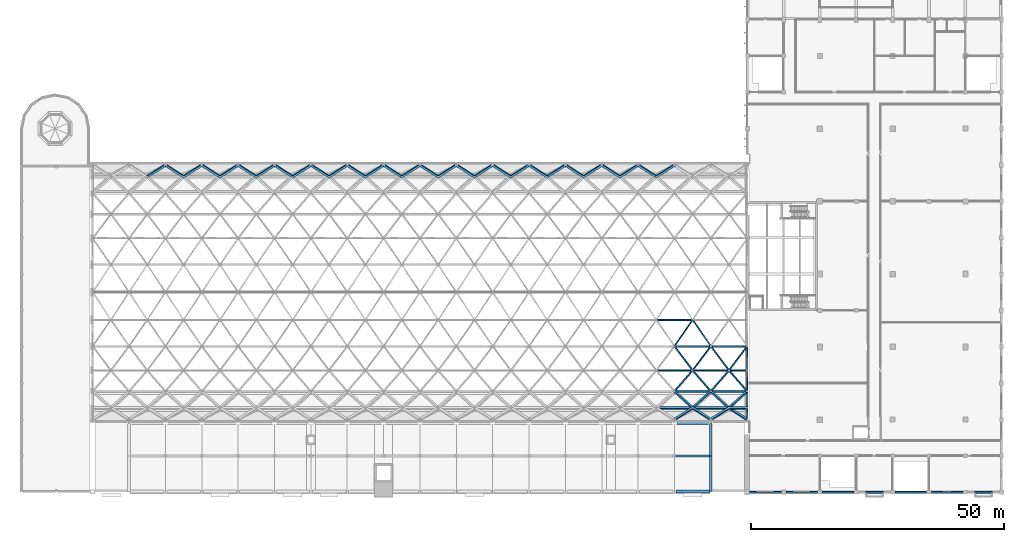
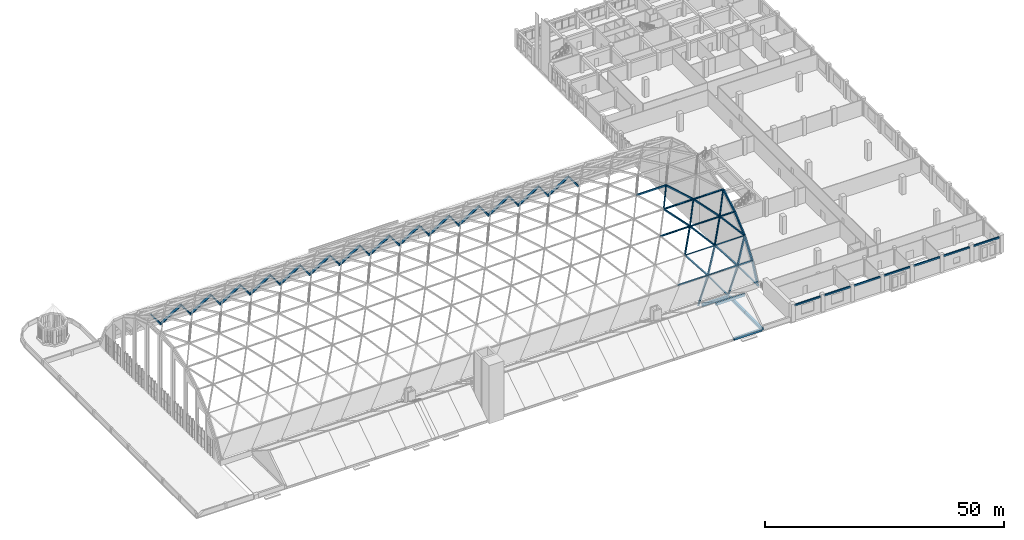
# One storey, part 13 of 52: 47 members, 27 beams.
"""IFC4 building model written with IfcOpenShell, lengths in metres."""

from ifc_helpers import new_model, si_unit, direction, frame, origin, origin_2d, place, context, subcontext, project, spatial, rectangle, extrude, material, material_profile, profile_set, type_object, element, save


model = new_model("IFC4")

# Units and contexts
model_context = context("Model", 3, precision=1e-05, world=origin(), true_north=direction((0.0, 1.0)))
body_context = subcontext(model_context, "Body", "Model", "MODEL_VIEW")
ifc_project = project(units=[si_unit("LENGTHUNIT", "METRE"), si_unit("AREAUNIT", "SQUARE_METRE"), si_unit("VOLUMEUNIT", "CUBIC_METRE"), si_unit("PLANEANGLEUNIT", "RADIAN"), si_unit("MASSUNIT", "GRAM", prefix="KILO")], contexts=[model_context])

# Site, building, storey
site_placement = place(None, origin())
site = spatial("IfcSite", under=ifc_project, at=site_placement, CompositionType="ELEMENT")
building_placement = place(site_placement, origin())
building = spatial("IfcBuilding", under=site, at=building_placement, Name="Vermilion Court Aquatics Centre", CompositionType="ELEMENT")
storey_placement = place(building_placement, frame((0.0, 0.0, 12.0)))
storey = spatial("IfcBuildingStorey", under=building, at=storey_placement, Name="L02", CompositionType="ELEMENT", Elevation=12.0)

# Beams
ifc_material_1 = material(Name="Concrete 5000 psi", Category="concrete")
ifc_material_profile_1 = material_profile(ifc_material_1, rectangle(XDim=0.300048828125, YDim=0.39990234375, at=origin_2d()), Name="RC 300x400")
ifc_profile_set_1 = profile_set([ifc_material_profile_1], Name="Concrete 5000 psi")
beam_type_1 = type_object("IfcBeamType", Name="Podium spandrel beam RC 300x400", PredefinedType="BEAM", material=ifc_profile_set_1)
for number, where, z_axis, x_axis, name in (
    (1, (144.449951171875, 0.0, 3.800048828125), (1.0, 0.0, 0.0), (0.0, 1.0, 0.0), "Spandrel beam L02"),
    (2, (151.64990234375, 0.0, 3.800048828125), (1.0, 0.0, 0.0), (0.0, 1.0, 0.0), "Spandrel beam L02"),
):
    element("IfcBeam", number, at=place(storey_placement, frame(where, z_axis=z_axis, x_axis=x_axis)), inside=storey, type_object=beam_type_1, Name=name, PredefinedType="BEAM", context=body_context, shape_type="SweptSolid", body=[
        extrude(rectangle(XDim=0.300048828125, YDim=0.39990234375, at=origin_2d()), origin(), (0.0, 0.0, 1.0), 6.300048828125),
    ])
beam_1_placement = place(storey_placement, frame((158.85009765625, 0.0, 3.800048828125), z_axis=(1.0, 0.0, 0.0), x_axis=(0.0, 1.0, 0.0)))
element("IfcBeam", 3, at=beam_1_placement, inside=storey, type_object=beam_type_1, Name="Spandrel beam L02", PredefinedType="BEAM", context=body_context, shape_type="SweptSolid", body=[
    extrude(rectangle(XDim=0.300048828125, YDim=0.39990234375, at=origin_2d()), origin(), (0.0, 0.0, 1.0), 6.2998046875),
])
for number, where, z_axis, x_axis, name in (
    (4, (166.050048828125, 0.0, 3.800048828125), (1.0, 0.0, 0.0), (0.0, 1.0, 0.0), "Spandrel beam L02"),
    (5, (173.25, 0.0, 3.800048828125), (1.0, 0.0, 0.0), (0.0, 1.0, 0.0), "Spandrel beam L02"),
    (6, (180.449951171875, 0.0, 3.800048828125), (1.0, 0.0, 0.0), (0.0, 1.0, 0.0), "Spandrel beam L02"),
    (7, (187.64990234375, 0.0, 3.800048828125), (1.0, 0.0, 0.0), (0.0, 1.0, 0.0), "Spandrel beam L02"),
):
    element("IfcBeam", number, at=place(storey_placement, frame(where, z_axis=z_axis, x_axis=x_axis)), inside=storey, type_object=beam_type_1, Name=name, PredefinedType="BEAM", context=body_context, shape_type="SweptSolid", body=[
        extrude(rectangle(XDim=0.300048828125, YDim=0.39990234375, at=origin_2d()), origin(), (0.0, 0.0, 1.0), 6.300048828125),
    ])
ifc_material_2 = material(Name="Glulam 24F-V4 Douglas fir", Category="wood")
ifc_material_profile_2 = material_profile(ifc_material_2, rectangle(XDim=0.27294921875, YDim=0.60009765625, at=origin_2d()), Name="GL24F 273x600")
ifc_profile_set_2 = profile_set([ifc_material_profile_2], Name="Glulam 24F-V4 Douglas fir")
beam_type_2 = type_object("IfcBeamType", Name="Roof gable arch rib GL24F 273x600", PredefinedType="BEAM", material=ifc_profile_set_2)
beam_2_placement = place(storey_placement, frame((144.0, 20.048095703125, 9.627685546875), z_axis=(0.0, 0.749506138313, 0.66199739322), x_axis=(-1.0, 0.0, 0.0)))
element("IfcBeam", 8, at=beam_2_placement, inside=storey, type_object=beam_type_2, Name="Gable arch rib GR-R02-E", PredefinedType="BEAM", context=body_context, shape_type="SweptSolid", body=[
    extrude(rectangle(XDim=0.27294921875, YDim=0.60009765625, at=origin_2d()), origin(), (0.0, 0.0, 1.0), 5.45703125),
])
beam_3_placement = place(storey_placement, frame((144.0, 24.162109375, 13.25732421875), z_axis=(0.0, 0.869440836463, 0.494037075422), x_axis=(-1.0, 0.0, 0.0)))
element("IfcBeam", 9, at=beam_3_placement, inside=storey, type_object=beam_type_2, Name="Gable arch rib GR-R03-E", PredefinedType="BEAM", context=body_context, shape_type="SweptSolid", body=[
    extrude(rectangle(XDim=0.27294921875, YDim=0.60009765625, at=origin_2d()), origin(), (0.0, 0.0, 1.0), 5.457763671875),
])
ifc_material_3 = material(Name="Glulam 24F-V4 Douglas fir", Category="wood")
ifc_material_profile_3 = material_profile(ifc_material_3, rectangle(XDim=0.27294921875, YDim=0.699951171875, at=origin_2d()), Name="GL24F 273x700")
ifc_profile_set_3 = profile_set([ifc_material_profile_3], Name="Glulam 24F-V4 Douglas fir")
beam_type_3 = type_object("IfcBeamType", Name="Roof gable arch rib GL24F 273x700", PredefinedType="BEAM", material=ifc_profile_set_3)
beam_4_placement = place(storey_placement, frame((144.0, 14.461669921875, 0.14501953125), z_axis=(0.0, 0.420151136212, 0.907454143602), x_axis=(-1.0, 0.0, 0.0)))
element("IfcBeam", 10, at=beam_4_placement, inside=storey, type_object=beam_type_3, Name="Gable arch rib GR-R00-E", PredefinedType="BEAM", context=body_context, shape_type="SweptSolid", body=[
    extrude(rectangle(XDim=0.27294921875, YDim=0.699951171875, at=origin_2d()), origin(), (0.0, 0.0, 1.0), 5.537109375),
])
beam_5_placement = place(storey_placement, frame((144.0, 16.80810546875, 5.203369140625), z_axis=(0.0, 0.597715934236, 0.801707965509), x_axis=(-1.0, 0.0, 0.0)))
element("IfcBeam", 11, at=beam_5_placement, inside=storey, type_object=beam_type_3, Name="Gable arch rib GR-R01-E", PredefinedType="BEAM", context=body_context, shape_type="SweptSolid", body=[
    extrude(rectangle(XDim=0.27294921875, YDim=0.699951171875, at=origin_2d()), origin(), (0.0, 0.0, 1.0), 5.4443359375),
])
ifc_material_4 = material(Name="Glulam 24F-V4 Douglas fir", Category="wood")
ifc_material_profile_4 = material_profile(ifc_material_4, rectangle(XDim=0.1708984375, YDim=0.5, at=origin_2d()), Name="GL24F 171x500")
ifc_profile_set_4 = profile_set([ifc_material_profile_4], Name="Glulam 24F-V4 Douglas fir")
beam_type_4 = type_object("IfcBeamType", Name="Roof glulam beam GL24F 171x500", PredefinedType="BEAM", material=ifc_profile_set_4)
beam_6_placement = place(storey_placement, frame((129.60009765625, 28.89990234375, 16.007080078125), z_axis=(1.0, 0.0, 0.0), x_axis=(0.0, 0.915794264632, 0.401647687492)))
element("IfcBeam", 12, at=beam_6_placement, inside=storey, type_object=beam_type_4, Name="Gridshell member GM-S04-16", PredefinedType="BEAM", context=body_context, shape_type="SweptSolid", body=[
    extrude(rectangle(XDim=0.1708984375, YDim=0.5, at=origin_2d()), origin(), (0.0, 0.0, 1.0), 7.199951171875),
])
beam_7_placement = place(storey_placement, frame((136.800048828125, 28.89990234375, 16.007080078125), z_axis=(1.0, 0.0, 0.0), x_axis=(0.0, 0.915794264632, 0.401647687492)))
element("IfcBeam", 13, at=beam_7_placement, inside=storey, type_object=beam_type_4, Name="Gridshell member GM-S04-17", PredefinedType="BEAM", context=body_context, shape_type="SweptSolid", body=[
    extrude(rectangle(XDim=0.1708984375, YDim=0.5, at=origin_2d()), origin(), (0.0, 0.0, 1.0), 7.0634765625),
])
beam_8_placement = place(storey_placement, frame((126.0, 34.1298828125, 17.681884765625), z_axis=(1.0, 0.0, 0.0), x_axis=(0.0, 0.978692135467, 0.205333153619)))
element("IfcBeam", 14, at=beam_8_placement, inside=storey, type_object=beam_type_4, Name="Gridshell member GM-S05-16", PredefinedType="BEAM", context=body_context, shape_type="SweptSolid", body=[
    extrude(rectangle(XDim=0.1708984375, YDim=0.5, at=origin_2d()), origin(), (0.0, 0.0, 1.0), 7.199951171875),
])
ifc_material_5 = material(Name="Glulam 24F-V4 Douglas fir", Category="wood")
ifc_material_profile_5 = material_profile(ifc_material_5, rectangle(XDim=0.221923828125, YDim=0.5, at=origin_2d()), Name="GL24F 222x500")
ifc_profile_set_5 = profile_set([ifc_material_profile_5], Name="Glulam 24F-V4 Douglas fir")
beam_type_5 = type_object("IfcBeamType", Name="Roof glulam beam GL24F 222x500", PredefinedType="BEAM", material=ifc_profile_set_5)
beam_9_placement = place(storey_placement, frame((129.60009765625, 20.0, 9.652099609375), z_axis=(1.0, 0.0, 0.0), x_axis=(0.0, 0.677259808472, 0.735743944473)))
element("IfcBeam", 15, at=beam_9_placement, inside=storey, type_object=beam_type_5, Name="Gridshell member GM-S02-16", PredefinedType="BEAM", context=body_context, shape_type="SweptSolid", body=[
    extrude(rectangle(XDim=0.221923828125, YDim=0.5, at=origin_2d()), origin(), (0.0, 0.0, 1.0), 7.199951171875),
])
beam_10_placement = place(storey_placement, frame((136.800048828125, 20.0, 9.652099609375), z_axis=(1.0, 0.0, 0.0), x_axis=(0.0, 0.677259808472, 0.735743944473)))
element("IfcBeam", 16, at=beam_10_placement, inside=storey, type_object=beam_type_5, Name="Gridshell member GM-S02-17", PredefinedType="BEAM", context=body_context, shape_type="SweptSolid", body=[
    extrude(rectangle(XDim=0.221923828125, YDim=0.5, at=origin_2d()), origin(), (0.0, 0.0, 1.0), 7.0634765625),
])
for number, where, z_axis, x_axis, name in (
    (17, (126.0, 24.1201171875, 13.291015625), (1.0, 0.0, 0.0), (0.0, 0.813847589394, 0.581078395087), "Gridshell member GM-S03-16"),
    (18, (133.199951171875, 24.1201171875, 13.291015625), (1.0, 0.0, 0.0), (0.0, 0.813847589394, 0.581078395087), "Gridshell member GM-S03-17"),
):
    element("IfcBeam", number, at=place(storey_placement, frame(where, z_axis=z_axis, x_axis=x_axis)), inside=storey, type_object=beam_type_5, Name=name, PredefinedType="BEAM", context=body_context, shape_type="SweptSolid", body=[
        extrude(rectangle(XDim=0.221923828125, YDim=0.5, at=origin_2d()), origin(), (0.0, 0.0, 1.0), 7.199951171875),
    ])
beam_11_placement = place(storey_placement, frame((140.39990234375, 24.1201171875, 13.291015625), z_axis=(1.0, 0.0, 0.0), x_axis=(0.0, 0.813847589394, 0.581078395087)))
element("IfcBeam", 19, at=beam_11_placement, inside=storey, type_object=beam_type_5, Name="Gridshell member GM-S03-18", PredefinedType="BEAM", context=body_context, shape_type="SweptSolid", body=[
    extrude(rectangle(XDim=0.221923828125, YDim=0.5, at=origin_2d()), origin(), (0.0, 0.0, 1.0), 3.463623046875),
])
ifc_material_6 = material(Name="Glulam 24F-V4 Douglas fir", Category="wood")
ifc_material_profile_6 = material_profile(ifc_material_6, rectangle(XDim=0.27294921875, YDim=0.5, at=origin_2d()), Name="GL24F 273x500")
ifc_profile_set_6 = profile_set([ifc_material_profile_6], Name="Glulam 24F-V4 Douglas fir")
beam_type_6 = type_object("IfcBeamType", Name="Roof glulam beam GL24F 273x500", PredefinedType="BEAM", material=ifc_profile_set_6)
for number, where, z_axis, x_axis, name in (
    (20, (126.0, 16.7099609375, 5.239013671875), (1.0, 0.0, 0.0), (0.0, 0.511594723072, 0.859226884661), "Gridshell member GM-S01-16"),
    (21, (133.199951171875, 16.7099609375, 5.239013671875), (1.0, 0.0, 0.0), (0.0, 0.511594723072, 0.859226884661), "Gridshell member GM-S01-17"),
):
    element("IfcBeam", number, at=place(storey_placement, frame(where, z_axis=z_axis, x_axis=x_axis)), inside=storey, type_object=beam_type_6, Name=name, PredefinedType="BEAM", context=body_context, shape_type="SweptSolid", body=[
        extrude(rectangle(XDim=0.27294921875, YDim=0.5, at=origin_2d()), origin(), (0.0, 0.0, 1.0), 7.199951171875),
    ])
beam_12_placement = place(storey_placement, frame((140.39990234375, 16.7099609375, 5.239013671875), z_axis=(1.0, 0.0, 0.0), x_axis=(0.0, 0.511594723072, 0.859226884661)))
element("IfcBeam", 22, at=beam_12_placement, inside=storey, type_object=beam_type_6, Name="Gridshell member GM-S01-18", PredefinedType="BEAM", context=body_context, shape_type="SweptSolid", body=[
    extrude(rectangle(XDim=0.27294921875, YDim=0.5, at=origin_2d()), origin(), (0.0, 0.0, 1.0), 3.463623046875),
])

# Members
ifc_material_7 = material(Name="Glulam 24F-V4 Douglas fir", Category="wood")
ifc_material_profile_7 = material_profile(ifc_material_7, rectangle(XDim=0.1708984375, YDim=0.5, at=origin_2d()), Name="GL24F 171x500")
ifc_profile_set_7 = profile_set([ifc_material_profile_7], Name="Glulam 24F-V4 Douglas fir")
member_type_1 = type_object("IfcMemberType", Name="Roof glulam diagonal GL24F 171x500", PredefinedType="BRACE", material=ifc_profile_set_7)
for number, where, z_axis, x_axis, name in (
    (23, (129.60009765625, 28.89990234375, 16.007080078125), (0.548229645356, 0.796485280625, 0.255059706147), (-0.836327836937, 0.522085963539, 0.167278198938), "Gridshell member GM-D04-32"),
    (24, (136.800048828125, 28.89990234375, 16.007080078125), (-0.548255650399, 0.796469045357, 0.255054507103), (-0.836310790084, -0.522113193833, -0.167278436192), "Gridshell member GM-D04-33"),
):
    element("IfcMember", number, at=place(storey_placement, frame(where, z_axis=z_axis, x_axis=x_axis)), inside=storey, type_object=member_type_1, Name=name, PredefinedType="BRACE", context=body_context, shape_type="SweptSolid", body=[
        extrude(rectangle(XDim=0.1708984375, YDim=0.5, at=origin_2d()), origin(), (0.0, 0.0, 1.0), 6.56640625),
    ])
ifc_material_8 = material(Name="Glulam 24F-V4 Douglas fir", Category="wood")
ifc_material_profile_8 = material_profile(ifc_material_8, rectangle(XDim=0.221923828125, YDim=0.5, at=origin_2d()), Name="GL24F 222x500")
ifc_profile_set_8 = profile_set([ifc_material_profile_8], Name="Glulam 24F-V4 Douglas fir")
member_type_2 = type_object("IfcMemberType", Name="Roof glulam diagonal GL24F 222x500", PredefinedType="BRACE", material=ifc_profile_set_8)
member_1_placement = place(storey_placement, frame((129.60009765625, 20.0, 9.652099609375), z_axis=(0.54785234141, 0.62702991615, 0.553797161662), x_axis=(-0.836575048608, 0.410632462921, 0.362661230961)))
element("IfcMember", 25, at=member_1_placement, inside=storey, type_object=member_type_2, Name="Gridshell member GM-D02-32", PredefinedType="BRACE", context=body_context, shape_type="SweptSolid", body=[
    extrude(rectangle(XDim=0.221923828125, YDim=0.5, at=origin_2d()), origin(), (0.0, 0.0, 1.0), 6.57080078125),
])
member_2_placement = place(storey_placement, frame((136.800048828125, 20.0, 9.652099609375), z_axis=(-0.547878343921, 0.627017152585, 0.553785888793), x_axis=(-0.836558019341, -0.410664270742, -0.362664496488)))
element("IfcMember", 26, at=member_2_placement, inside=storey, type_object=member_type_2, Name="Gridshell member GM-D02-33", PredefinedType="BRACE", context=body_context, shape_type="SweptSolid", body=[
    extrude(rectangle(XDim=0.221923828125, YDim=0.5, at=origin_2d()), origin(), (0.0, 0.0, 1.0), 6.571044921875),
])
member_3_placement = place(storey_placement, frame((136.800048828125, 20.0, 9.652099609375), z_axis=(0.54785234141, 0.62702991615, 0.553797161662), x_axis=(-0.836575048608, 0.410632462921, 0.362661230961)))
element("IfcMember", 27, at=member_3_placement, inside=storey, type_object=member_type_2, Name="Gridshell member GM-D02-34", PredefinedType="BRACE", context=body_context, shape_type="SweptSolid", body=[
    extrude(rectangle(XDim=0.221923828125, YDim=0.5, at=origin_2d()), origin(), (0.0, 0.0, 1.0), 6.57080078125),
])
member_4_placement = place(storey_placement, frame((144.0, 20.0, 9.652099609375), z_axis=(-0.547878343921, 0.627017152585, 0.553785888793), x_axis=(-0.836558019341, -0.410664270742, -0.362664496488)))
element("IfcMember", 28, at=member_4_placement, inside=storey, type_object=member_type_2, Name="Gridshell member GM-D02-35", PredefinedType="BRACE", context=body_context, shape_type="SweptSolid", body=[
    extrude(rectangle(XDim=0.221923828125, YDim=0.5, at=origin_2d()), origin(), (0.0, 0.0, 1.0), 6.571044921875),
])
member_5_placement = place(storey_placement, frame((133.199951171875, 24.1201171875, 13.291015625), z_axis=(-0.547812522897, 0.727370198256, 0.413320740402), x_axis=(-0.836601123047, -0.476302635686, -0.270618477113)))
element("IfcMember", 29, at=member_5_placement, inside=storey, type_object=member_type_2, Name="Gridshell member GM-D03-32", PredefinedType="BRACE", context=body_context, shape_type="SweptSolid", body=[
    extrude(rectangle(XDim=0.221923828125, YDim=0.5, at=origin_2d()), origin(), (0.0, 0.0, 1.0), 6.5712890625),
])
member_6_placement = place(storey_placement, frame((133.199951171875, 24.1201171875, 13.291015625), z_axis=(0.54783852514, 0.727355394357, 0.413312328237), x_axis=(-0.836584095586, 0.476331897609, 0.270619611877)))
element("IfcMember", 30, at=member_6_placement, inside=storey, type_object=member_type_2, Name="Gridshell member GM-D03-33", PredefinedType="BRACE", context=body_context, shape_type="SweptSolid", body=[
    extrude(rectangle(XDim=0.221923828125, YDim=0.5, at=origin_2d()), origin(), (0.0, 0.0, 1.0), 6.571533203125),
])
member_7_placement = place(storey_placement, frame((140.39990234375, 24.1201171875, 13.291015625), z_axis=(-0.547812522897, 0.727370198256, 0.413320740402), x_axis=(-0.836601123047, -0.476302635686, -0.270618477113)))
element("IfcMember", 31, at=member_7_placement, inside=storey, type_object=member_type_2, Name="Gridshell member GM-D03-34", PredefinedType="BRACE", context=body_context, shape_type="SweptSolid", body=[
    extrude(rectangle(XDim=0.221923828125, YDim=0.5, at=origin_2d()), origin(), (0.0, 0.0, 1.0), 6.5712890625),
])
member_8_placement = place(storey_placement, frame((140.39990234375, 24.1201171875, 13.291015625), z_axis=(0.54783852514, 0.727355394357, 0.413312328237), x_axis=(-0.836584095586, 0.476331897609, 0.270619611877)))
element("IfcMember", 32, at=member_8_placement, inside=storey, type_object=member_type_2, Name="Gridshell member GM-D03-35", PredefinedType="BRACE", context=body_context, shape_type="SweptSolid", body=[
    extrude(rectangle(XDim=0.221923828125, YDim=0.5, at=origin_2d()), origin(), (0.0, 0.0, 1.0), 6.571533203125),
])
ifc_material_9 = material(Name="Glulam 24F-V4 Douglas fir", Category="wood")
ifc_material_profile_9 = material_profile(ifc_material_9, rectangle(XDim=0.27294921875, YDim=0.5, at=origin_2d()), Name="GL24F 273x500")
ifc_profile_set_9 = profile_set([ifc_material_profile_9], Name="Glulam 24F-V4 Douglas fir")
member_type_3 = type_object("IfcMemberType", Name="Roof glulam diagonal GL24F 273x500", PredefinedType="BRACE", material=ifc_profile_set_9)
for number, where, z_axis, x_axis, name in (
    (33, (129.515380859375, 14.345703125, 0.1328125), (0.547810111411, 0.35151027822, 0.759173633724), (-0.836602702247, 0.230192523341, 0.497098904436), "Gridshell member GM-D00-32"),
    (34, (136.884521484375, 14.345703125, 0.1328125), (-0.547810111411, 0.35151027822, 0.759173633724), (-0.836602702247, -0.230192523341, -0.497098904436), "Gridshell member GM-D00-33"),
):
    element("IfcMember", number, at=place(storey_placement, frame(where, z_axis=z_axis, x_axis=x_axis)), inside=storey, type_object=member_type_3, Name=name, PredefinedType="BRACE", context=body_context, shape_type="SweptSolid", body=[
        extrude(rectangle(XDim=0.27294921875, YDim=0.5, at=origin_2d()), origin(), (0.0, 0.0, 1.0), 6.72607421875),
    ])
member_9_placement = place(storey_placement, frame((136.715576171875, 14.345703125, 0.1328125), z_axis=(0.547784705503, 0.351517267781, 0.759188729414), x_axis=(-0.83661933782, 0.230161099811, 0.497085457159)))
element("IfcMember", 35, at=member_9_placement, inside=storey, type_object=member_type_3, Name="Gridshell member GM-D00-34", PredefinedType="BRACE", context=body_context, shape_type="SweptSolid", body=[
    extrude(rectangle(XDim=0.27294921875, YDim=0.5, at=origin_2d()), origin(), (0.0, 0.0, 1.0), 6.725830078125),
])
member_10_placement = place(storey_placement, frame((144.08447265625, 14.345703125, 0.1328125), z_axis=(-0.547810111411, 0.35151027822, 0.759173633724), x_axis=(-0.836602702247, -0.230192523341, -0.497098904436)))
element("IfcMember", 36, at=member_10_placement, inside=storey, type_object=member_type_3, Name="Gridshell member GM-D00-35", PredefinedType="BRACE", context=body_context, shape_type="SweptSolid", body=[
    extrude(rectangle(XDim=0.27294921875, YDim=0.5, at=origin_2d()), origin(), (0.0, 0.0, 1.0), 6.72607421875),
])
for number, where, z_axis, x_axis, name in (
    (37, (133.199951171875, 16.7099609375, 5.239013671875), (-0.547328986583, 0.500224172478, 0.670974483654), (-0.836917545043, -0.32708302, -0.438845896445), "Gridshell member GM-D01-32"),
    (38, (133.199951171875, 16.7099609375, 5.239013671875), (0.547354985532, 0.500214009563, 0.670960851652), (-0.836900542699, 0.327116726721, 0.438853197242), "Gridshell member GM-D01-33"),
    (39, (140.39990234375, 16.7099609375, 5.239013671875), (-0.547328986583, 0.500224172478, 0.670974483654), (-0.836917545043, -0.32708302, -0.438845896445), "Gridshell member GM-D01-34"),
    (40, (140.39990234375, 16.7099609375, 5.239013671875), (0.547354985532, 0.500214009563, 0.670960851652), (-0.836900542699, 0.327116726721, 0.438853197242), "Gridshell member GM-D01-35"),
):
    element("IfcMember", number, at=place(storey_placement, frame(where, z_axis=z_axis, x_axis=x_axis)), inside=storey, type_object=member_type_3, Name=name, PredefinedType="BRACE", context=body_context, shape_type="SweptSolid", body=[
        extrude(rectangle(XDim=0.27294921875, YDim=0.5, at=origin_2d()), origin(), (0.0, 0.0, 1.0), 6.5771484375),
    ])
member_11_placement = place(storey_placement, frame((25.199951171875, 62.489990234375, 5.239013671875), z_axis=(0.547810111411, 0.35151027822, -0.759173633724), x_axis=(-0.836602702247, 0.230192523341, -0.497098904436)))
element("IfcMember", 41, at=member_11_placement, inside=storey, type_object=member_type_3, Name="Gridshell member GM-D11-03", PredefinedType="BRACE", context=body_context, shape_type="SweptSolid", body=[
    extrude(rectangle(XDim=0.27294921875, YDim=0.5, at=origin_2d()), origin(), (0.0, 0.0, 1.0), 6.72607421875),
])
member_12_placement = place(storey_placement, frame((32.39990234375, 62.489990234375, 5.239013671875), z_axis=(-0.547784705503, 0.351517267781, -0.759188729414), x_axis=(-0.83661933782, -0.230161099811, 0.497085457159)))
element("IfcMember", 42, at=member_12_placement, inside=storey, type_object=member_type_3, Name="Gridshell member GM-D11-04", PredefinedType="BRACE", context=body_context, shape_type="SweptSolid", body=[
    extrude(rectangle(XDim=0.27294921875, YDim=0.5, at=origin_2d()), origin(), (0.0, 0.0, 1.0), 6.725830078125),
])
for number, where, z_axis, x_axis, name in (
    (43, (32.39990234375, 62.489990234375, 5.239013671875), (0.547810111411, 0.35151027822, -0.759173633724), (-0.836602702247, 0.230192523341, -0.497098904436), "Gridshell member GM-D11-05"),
    (44, (39.60009765625, 62.489990234375, 5.239013671875), (-0.547810111411, 0.35151027822, -0.759173633724), (-0.836602702247, -0.230192523341, 0.497098904436), "Gridshell member GM-D11-06"),
):
    element("IfcMember", number, at=place(storey_placement, frame(where, z_axis=z_axis, x_axis=x_axis)), inside=storey, type_object=member_type_3, Name=name, PredefinedType="BRACE", context=body_context, shape_type="SweptSolid", body=[
        extrude(rectangle(XDim=0.27294921875, YDim=0.5, at=origin_2d()), origin(), (0.0, 0.0, 1.0), 6.72607421875),
    ])
member_13_placement = place(storey_placement, frame((39.60009765625, 62.489990234375, 5.239013671875), z_axis=(0.547784705503, 0.351517267781, -0.759188729414), x_axis=(-0.83661933782, 0.230161099811, -0.497085457159)))
element("IfcMember", 45, at=member_13_placement, inside=storey, type_object=member_type_3, Name="Gridshell member GM-D11-07", PredefinedType="BRACE", context=body_context, shape_type="SweptSolid", body=[
    extrude(rectangle(XDim=0.27294921875, YDim=0.5, at=origin_2d()), origin(), (0.0, 0.0, 1.0), 6.725830078125),
])
for number, where, z_axis, x_axis, name in (
    (46, (46.800048828125, 62.489990234375, 5.239013671875), (-0.547810111411, 0.35151027822, -0.759173633724), (-0.836602702247, -0.230192523341, 0.497098904436), "Gridshell member GM-D11-08"),
    (47, (46.800048828125, 62.489990234375, 5.239013671875), (0.547810111411, 0.35151027822, -0.759173633724), (-0.836602702247, 0.230192523341, -0.497098904436), "Gridshell member GM-D11-09"),
    (48, (54.0, 62.489990234375, 5.239013671875), (-0.547810111411, 0.35151027822, -0.759173633724), (-0.836602702247, -0.230192523341, 0.497098904436), "Gridshell member GM-D11-10"),
    (49, (54.0, 62.489990234375, 5.239013671875), (0.547810111411, 0.35151027822, -0.759173633724), (-0.836602702247, 0.230192523341, -0.497098904436), "Gridshell member GM-D11-11"),
    (50, (61.199951171875, 62.489990234375, 5.239013671875), (-0.547810111411, 0.35151027822, -0.759173633724), (-0.836602702247, -0.230192523341, 0.497098904436), "Gridshell member GM-D11-12"),
    (51, (61.199951171875, 62.489990234375, 5.239013671875), (0.547810111411, 0.35151027822, -0.759173633724), (-0.836602702247, 0.230192523341, -0.497098904436), "Gridshell member GM-D11-13"),
):
    element("IfcMember", number, at=place(storey_placement, frame(where, z_axis=z_axis, x_axis=x_axis)), inside=storey, type_object=member_type_3, Name=name, PredefinedType="BRACE", context=body_context, shape_type="SweptSolid", body=[
        extrude(rectangle(XDim=0.27294921875, YDim=0.5, at=origin_2d()), origin(), (0.0, 0.0, 1.0), 6.72607421875),
    ])
member_14_placement = place(storey_placement, frame((68.39990234375, 62.489990234375, 5.239013671875), z_axis=(-0.547784705503, 0.351517267781, -0.759188729414), x_axis=(-0.83661933782, -0.230161099811, 0.497085457159)))
element("IfcMember", 52, at=member_14_placement, inside=storey, type_object=member_type_3, Name="Gridshell member GM-D11-14", PredefinedType="BRACE", context=body_context, shape_type="SweptSolid", body=[
    extrude(rectangle(XDim=0.27294921875, YDim=0.5, at=origin_2d()), origin(), (0.0, 0.0, 1.0), 6.725830078125),
])
for number, where, z_axis, x_axis, name in (
    (53, (68.39990234375, 62.489990234375, 5.239013671875), (0.547810111411, 0.35151027822, -0.759173633724), (-0.836602702247, 0.230192523341, -0.497098904436), "Gridshell member GM-D11-15"),
    (54, (75.60009765625, 62.489990234375, 5.239013671875), (-0.547810111411, 0.35151027822, -0.759173633724), (-0.836602702247, -0.230192523341, 0.497098904436), "Gridshell member GM-D11-16"),
):
    element("IfcMember", number, at=place(storey_placement, frame(where, z_axis=z_axis, x_axis=x_axis)), inside=storey, type_object=member_type_3, Name=name, PredefinedType="BRACE", context=body_context, shape_type="SweptSolid", body=[
        extrude(rectangle(XDim=0.27294921875, YDim=0.5, at=origin_2d()), origin(), (0.0, 0.0, 1.0), 6.72607421875),
    ])
member_15_placement = place(storey_placement, frame((75.60009765625, 62.489990234375, 5.239013671875), z_axis=(0.547784705503, 0.351517267781, -0.759188729414), x_axis=(-0.83661933782, 0.230161099811, -0.497085457159)))
element("IfcMember", 55, at=member_15_placement, inside=storey, type_object=member_type_3, Name="Gridshell member GM-D11-17", PredefinedType="BRACE", context=body_context, shape_type="SweptSolid", body=[
    extrude(rectangle(XDim=0.27294921875, YDim=0.5, at=origin_2d()), origin(), (0.0, 0.0, 1.0), 6.725830078125),
])
for number, where, z_axis, x_axis, name in (
    (56, (82.800048828125, 62.489990234375, 5.239013671875), (-0.547810111411, 0.35151027822, -0.759173633724), (-0.836602702247, -0.230192523341, 0.497098904436), "Gridshell member GM-D11-18"),
    (57, (82.800048828125, 62.489990234375, 5.239013671875), (0.547810111411, 0.35151027822, -0.759173633724), (-0.836602702247, 0.230192523341, -0.497098904436), "Gridshell member GM-D11-19"),
    (58, (90.0, 62.489990234375, 5.239013671875), (-0.547810111411, 0.35151027822, -0.759173633724), (-0.836602702247, -0.230192523341, 0.497098904436), "Gridshell member GM-D11-20"),
    (59, (90.0, 62.489990234375, 5.239013671875), (0.547810111411, 0.35151027822, -0.759173633724), (-0.836602702247, 0.230192523341, -0.497098904436), "Gridshell member GM-D11-21"),
    (60, (97.199951171875, 62.489990234375, 5.239013671875), (-0.547810111411, 0.35151027822, -0.759173633724), (-0.836602702247, -0.230192523341, 0.497098904436), "Gridshell member GM-D11-22"),
    (61, (97.199951171875, 62.489990234375, 5.239013671875), (0.547810111411, 0.35151027822, -0.759173633724), (-0.836602702247, 0.230192523341, -0.497098904436), "Gridshell member GM-D11-23"),
):
    element("IfcMember", number, at=place(storey_placement, frame(where, z_axis=z_axis, x_axis=x_axis)), inside=storey, type_object=member_type_3, Name=name, PredefinedType="BRACE", context=body_context, shape_type="SweptSolid", body=[
        extrude(rectangle(XDim=0.27294921875, YDim=0.5, at=origin_2d()), origin(), (0.0, 0.0, 1.0), 6.72607421875),
    ])
member_16_placement = place(storey_placement, frame((104.39990234375, 62.489990234375, 5.239013671875), z_axis=(-0.547784705503, 0.351517267781, -0.759188729414), x_axis=(-0.83661933782, -0.230161099811, 0.497085457159)))
element("IfcMember", 62, at=member_16_placement, inside=storey, type_object=member_type_3, Name="Gridshell member GM-D11-24", PredefinedType="BRACE", context=body_context, shape_type="SweptSolid", body=[
    extrude(rectangle(XDim=0.27294921875, YDim=0.5, at=origin_2d()), origin(), (0.0, 0.0, 1.0), 6.725830078125),
])
for number, where, z_axis, x_axis, name in (
    (63, (104.39990234375, 62.489990234375, 5.239013671875), (0.547810111411, 0.35151027822, -0.759173633724), (-0.836602702247, 0.230192523341, -0.497098904436), "Gridshell member GM-D11-25"),
    (64, (111.60009765625, 62.489990234375, 5.239013671875), (-0.547810111411, 0.35151027822, -0.759173633724), (-0.836602702247, -0.230192523341, 0.497098904436), "Gridshell member GM-D11-26"),
):
    element("IfcMember", number, at=place(storey_placement, frame(where, z_axis=z_axis, x_axis=x_axis)), inside=storey, type_object=member_type_3, Name=name, PredefinedType="BRACE", context=body_context, shape_type="SweptSolid", body=[
        extrude(rectangle(XDim=0.27294921875, YDim=0.5, at=origin_2d()), origin(), (0.0, 0.0, 1.0), 6.72607421875),
    ])
member_17_placement = place(storey_placement, frame((111.60009765625, 62.489990234375, 5.239013671875), z_axis=(0.547784705503, 0.351517267781, -0.759188729414), x_axis=(-0.83661933782, 0.230161099811, -0.497085457159)))
element("IfcMember", 65, at=member_17_placement, inside=storey, type_object=member_type_3, Name="Gridshell member GM-D11-27", PredefinedType="BRACE", context=body_context, shape_type="SweptSolid", body=[
    extrude(rectangle(XDim=0.27294921875, YDim=0.5, at=origin_2d()), origin(), (0.0, 0.0, 1.0), 6.725830078125),
])
for number, where, z_axis, x_axis, name in (
    (66, (118.800048828125, 62.489990234375, 5.239013671875), (-0.547810111411, 0.35151027822, -0.759173633724), (-0.836602702247, -0.230192523341, 0.497098904436), "Gridshell member GM-D11-28"),
    (67, (118.800048828125, 62.489990234375, 5.239013671875), (0.547810111411, 0.35151027822, -0.759173633724), (-0.836602702247, 0.230192523341, -0.497098904436), "Gridshell member GM-D11-29"),
    (68, (126.0, 62.489990234375, 5.239013671875), (-0.547810111411, 0.35151027822, -0.759173633724), (-0.836602702247, -0.230192523341, 0.497098904436), "Gridshell member GM-D11-30"),
    (69, (126.0, 62.489990234375, 5.239013671875), (0.547810111411, 0.35151027822, -0.759173633724), (-0.836602702247, 0.230192523341, -0.497098904436), "Gridshell member GM-D11-31"),
):
    element("IfcMember", number, at=place(storey_placement, frame(where, z_axis=z_axis, x_axis=x_axis)), inside=storey, type_object=member_type_3, Name=name, PredefinedType="BRACE", context=body_context, shape_type="SweptSolid", body=[
        extrude(rectangle(XDim=0.27294921875, YDim=0.5, at=origin_2d()), origin(), (0.0, 0.0, 1.0), 6.72607421875),
    ])

# Beams
ifc_material_10 = material(Name="Concrete 5000 psi", Category="concrete")
ifc_material_profile_10 = material_profile(ifc_material_10, rectangle(XDim=0.550048828125, YDim=0.5, at=origin_2d()), Name="RC 550x500")
ifc_profile_set_10 = profile_set([ifc_material_profile_10], Name="Concrete 5000 psi")
beam_type_7 = type_object("IfcBeamType", Name="South roof eave beam RC 550x500", PredefinedType="BEAM", material=ifc_profile_set_10)
beam_13_placement = place(storey_placement, frame((129.875, 0.125, 0.236083984375), z_axis=(1.0, 0.0, 0.0), x_axis=(0.0, 1.0, 0.0)))
element("IfcBeam", 70, at=beam_13_placement, inside=storey, type_object=beam_type_7, Name="South roof eave beam", PredefinedType="BEAM", context=body_context, shape_type="SweptSolid", body=[
    extrude(rectangle(XDim=0.550048828125, YDim=0.5, at=origin_2d()), origin(), (0.0, 0.0, 1.0), 6.64990234375),
])
ifc_material_11 = material(Name="Concrete 5000 psi", Category="concrete")
ifc_material_profile_11 = material_profile(ifc_material_11, rectangle(XDim=0.550048828125, YDim=0.60009765625, at=origin_2d()), Name="RC 550x600")
ifc_profile_set_11 = profile_set([ifc_material_profile_11], Name="Concrete 5000 psi")
beam_type_8 = type_object("IfcBeamType", Name="South roof gable beam RC 550x600", PredefinedType="BEAM", material=ifc_profile_set_11)
beam_14_placement = place(storey_placement, frame((136.800048828125, 0.125, 0.300048828125), z_axis=(0.0, 1.0, 0.0), x_axis=(-1.0, 0.0, 0.0)))
element("IfcBeam", 71, at=beam_14_placement, inside=storey, type_object=beam_type_8, Name="South roof gable beam", PredefinedType="BEAM", context=body_context, shape_type="SweptSolid", body=[
    extrude(rectangle(XDim=0.550048828125, YDim=0.60009765625, at=origin_2d()), origin(), (0.0, 0.0, 1.0), 7.074951171875),
])
beam_15_placement = place(storey_placement, frame((136.800048828125, 7.199951171875, 0.300048828125), z_axis=(0.0, 1.0, 0.0), x_axis=(-1.0, 0.0, 0.0)))
element("IfcBeam", 72, at=beam_15_placement, inside=storey, type_object=beam_type_8, Name="South roof gable beam", PredefinedType="BEAM", context=body_context, shape_type="SweptSolid", body=[
    extrude(rectangle(XDim=0.550048828125, YDim=0.60009765625, at=origin_2d()), origin(), (0.0, 0.0, 1.0), 6.449951171875),
])
ifc_material_12 = material(Name="Concrete 5000 psi", Category="concrete")
ifc_material_profile_12 = material_profile(ifc_material_12, rectangle(XDim=0.39990234375, YDim=0.60009765625, at=origin_2d()), Name="RC 400x600")
ifc_profile_set_12 = profile_set([ifc_material_profile_12], Name="Concrete 5000 psi")
beam_type_9 = type_object("IfcBeamType", Name="South roof ridge beam RC 400x600", PredefinedType="BEAM", material=ifc_profile_set_12)
beam_16_placement = place(storey_placement, frame((129.60009765625, 7.199951171875, 4.885986328125), z_axis=(1.0, 0.0, 0.0), x_axis=(0.0, 1.0, 0.0)))
element("IfcBeam", 73, at=beam_16_placement, inside=storey, type_object=beam_type_9, Name="South roof ridge beam", PredefinedType="BEAM", context=body_context, shape_type="SweptSolid", body=[
    extrude(rectangle(XDim=0.39990234375, YDim=0.60009765625, at=origin_2d()), origin(), (0.0, 0.0, 1.0), 7.0),
])
ifc_material_13 = material(Name="Concrete 5000 psi", Category="concrete")
ifc_material_profile_13 = material_profile(ifc_material_13, rectangle(XDim=0.5, YDim=0.64990234375, at=origin_2d()), Name="RC 500x650")
ifc_profile_set_13 = profile_set([ifc_material_profile_13], Name="Concrete 5000 psi")
beam_type_10 = type_object("IfcBeamType", Name="South roof valley beam RC 500x650", PredefinedType="BEAM", material=ifc_profile_set_13)
beam_17_placement = place(storey_placement, frame((130.10009765625, 13.64990234375, 0.607421875), z_axis=(1.0, 0.0, 0.0), x_axis=(0.0, 1.0, 0.0)))
element("IfcBeam", 74, at=beam_17_placement, inside=storey, type_object=beam_type_10, Name="South roof valley beam", PredefinedType="BEAM", context=body_context, shape_type="SweptSolid", body=[
    extrude(rectangle(XDim=0.5, YDim=0.64990234375, at=origin_2d()), origin(), (0.0, 0.0, 1.0), 6.199951171875),
])

save(model, "model.ifc")
